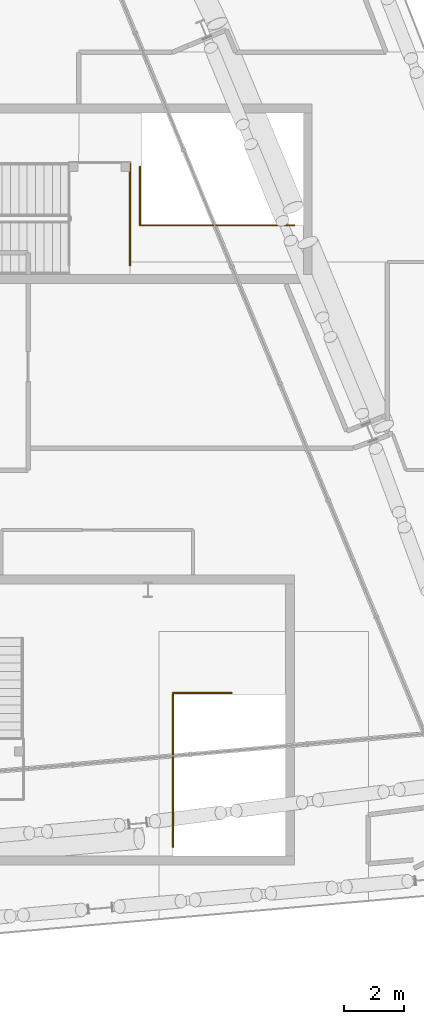
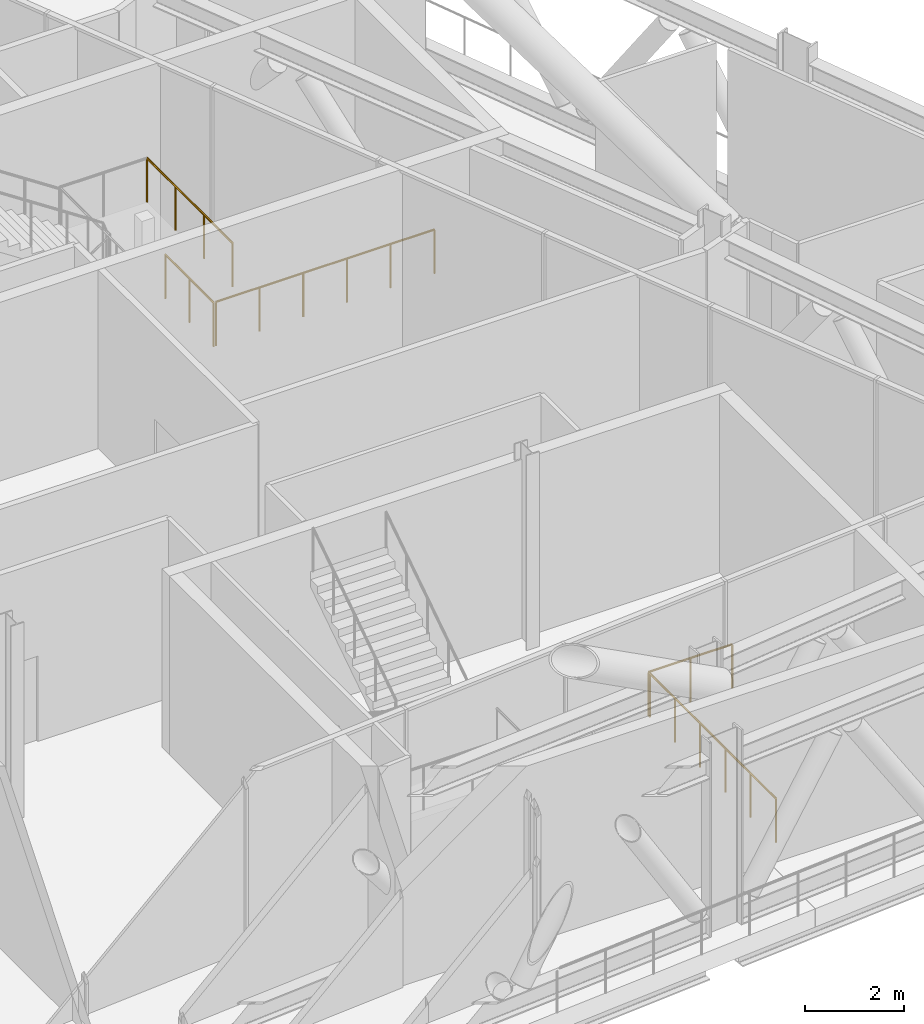
# One storey, part 41 of 42: 5 railings.
"""IFC4 building model written with IfcOpenShell, lengths in metres."""

import ifcopenshell
import ifcopenshell.guid

model = None  # the IFC model being written
_history = None  # IfcOwnerHistory: only IFC2X3 demands one
_inside = {}  # id of a spatial element -> (the spatial element, [elements in it])
_under = {}  # id of a project, library or spatial element -> (it, [spatial elements below it])
_declared = {}  # id of a project -> (the project, [libraries it declares])
_typed = {}  # id of a type object -> (the type object, [elements of that type])
_made_of = {}  # id of a material, layer set ... -> (it, [elements and type objects made of it])


def new_model(schema):
    """Start an empty IFC model of exactly this schema.

    Asked for "IFC4X3", IfcOpenShell would pick the latest addendum, in which some entities
    have other attributes; the version numbers below select the first issue.
    IFC2X3 requires an IfcOwnerHistory on every rooted entity: one is made here for all.
    """
    global model, _history
    if schema == "IFC4X3":
        model = ifcopenshell.file(schema_version=(4, 3, 0, 0))
    else:
        model = ifcopenshell.file(schema=schema)
    _inside.clear()
    _under.clear()
    _declared.clear()
    _typed.clear()
    _made_of.clear()
    _history = None
    if model.schema == "IFC2X3":
        org = make("IfcOrganization", Name="unknown")
        user = make(
            "IfcPersonAndOrganization",
            ThePerson=make("IfcPerson", FamilyName="unknown"),
            TheOrganization=org,
        )
        app = make(
            "IfcApplication",
            ApplicationDeveloper=org,
            Version="unknown",
            ApplicationFullName="unknown",
            ApplicationIdentifier="unknown",
        )
        _history = make(
            "IfcOwnerHistory",
            OwningUser=user,
            OwningApplication=app,
            ChangeAction="ADDED",
            CreationDate=0,
        )
    return model


def make(cls, **values):
    """One entity of the class cls with the attributes given. An attribute that is None is left unset."""
    return model.create_entity(
        cls, **{name: value for name, value in values.items() if value is not None}
    )


def rooted(cls, **values):
    """An entity with a GlobalId (a new one), such as an element, a storey or a relation."""
    return make(cls, GlobalId=ifcopenshell.guid.new(), OwnerHistory=_history, **values)


def si_unit(unit_type, name, prefix=None):
    """IfcSIUnit, for example si_unit("LENGTHUNIT", "METRE", prefix="MILLI")."""
    return make("IfcSIUnit", UnitType=unit_type, Prefix=prefix, Name=name)


def assignment(units):
    """IfcUnitAssignment: the units of a project."""
    return None if units is None else make("IfcUnitAssignment", Units=units)


def point(xyz):
    """IfcCartesianPoint."""
    return None if xyz is None else make("IfcCartesianPoint", Coordinates=xyz)


def direction(xyz):
    """IfcDirection."""
    return None if xyz is None else make("IfcDirection", DirectionRatios=xyz)


def frame(location, z_axis=None, x_axis=None):
    """IfcAxis2Placement3D, a coordinate frame: its origin and axes. An axis left out is left unset."""
    return make(
        "IfcAxis2Placement3D",
        Location=point(location),
        Axis=direction(z_axis),
        RefDirection=direction(x_axis),
    )


def frame_2d(location, x_axis=None):
    """IfcAxis2Placement2D, a coordinate frame in the plane: its origin and x axis."""
    return make(
        "IfcAxis2Placement2D", Location=point(location), RefDirection=direction(x_axis)
    )


def origin():
    """The frame at (0, 0, 0) with its axes left unset."""
    return frame((0.0, 0.0, 0.0))


def origin_2d():
    """The frame at (0, 0) in the plane with its x axis left unset."""
    return frame_2d((0.0, 0.0))


def place(relative_to, where):
    """IfcLocalPlacement: puts the frame where relative to a parent placement (None: the world)."""
    return make(
        "IfcLocalPlacement", PlacementRelTo=relative_to, RelativePlacement=where
    )


def context(
    kind, dimensions, precision=None, world=None, true_north=None, identifier=None
):
    """IfcGeometricRepresentationContext, for example the 3D "Model" context."""
    return make(
        "IfcGeometricRepresentationContext",
        ContextIdentifier=identifier,
        ContextType=kind,
        CoordinateSpaceDimension=dimensions,
        Precision=precision,
        WorldCoordinateSystem=world,
        TrueNorth=true_north,
    )


def subcontext(parent, identifier, kind, view, scale=None):
    """IfcGeometricRepresentationSubContext, for example "Body" below "Model"."""
    return make(
        "IfcGeometricRepresentationSubContext",
        ContextIdentifier=identifier,
        ContextType=kind,
        ParentContext=parent,
        TargetScale=scale,
        TargetView=view,
    )


def project(units=None, contexts=None):
    """IfcProject with its units and contexts."""
    return rooted(
        "IfcProject",
        Name="project",
        RepresentationContexts=contexts,
        UnitsInContext=assignment(units),
    )


def spatial(cls, under=None, at=None, **own):
    """A site, building, storey or space (cls), placed at a placement, below another one or the project."""
    s = rooted(cls, ObjectPlacement=at, **own)
    if under is not None:
        _under.setdefault(under.id(), (under, []))[1].append(s)
    return s


def profile(cls, at=None, kind="AREA", **sizes):
    """A parametric profile (cls). Its sizes go by their IFC names, for example OverallWidth=200.0."""
    return make(cls, ProfileType=kind, Position=at, **sizes)


def circle(**sizes):
    """IfcCircleProfileDef."""
    return profile("IfcCircleProfileDef", **sizes)


def extrude(swept, where, along, depth):
    """IfcExtrudedAreaSolid: the profile swept, set in the frame where, extruded along a direction by depth."""
    return make(
        "IfcExtrudedAreaSolid",
        SweptArea=swept,
        Position=where,
        ExtrudedDirection=direction(along),
        Depth=depth,
    )


def shape(context_of_items, identifier, shape_type, items):
    """IfcShapeRepresentation: the items that make up one representation, for example the "Body"."""
    return make(
        "IfcShapeRepresentation",
        ContextOfItems=context_of_items,
        RepresentationIdentifier=identifier,
        RepresentationType=shape_type,
        Items=items,
    )


def material(Name=None, Category=None):
    """IfcMaterial."""
    return make("IfcMaterial", Name=Name, Category=Category)


def made_of(thing, what):
    """Note that an element or type object is made of a material, layer set ...; save() writes the relation."""
    if what is not None:
        _made_of.setdefault(what.id(), (what, []))[1].append(thing)
    return thing


def type_object(cls, material=None, **own):
    """A type object (cls), such as IfcWallType, which elements share."""
    return made_of(rooted(cls, **own), material)


def element(
    cls,
    number,
    at=None,
    inside=None,
    cuts=None,
    type_object=None,
    material=None,
    context=None,
    identifier="Body",
    shape_type=None,
    held_by="IfcProductDefinitionShape",
    body=None,
    shapes=None,
    **own,
):
    """One element of the class cls, such as IfcWall. Its Tag is "e" and its number.

    at: its placement. inside: the storey or other place that contains it. cuts: it is an
    opening in that element (IfcRelVoidsElement). A single representation is given by context,
    identifier, shape_type and body (its items); several are given by shapes. held_by: the class
    of the entity that holds the representations. save() writes the other relations.
    """
    e = rooted(cls, Tag="e%d" % number, ObjectPlacement=at, **own)
    if body is not None:
        shapes = [shape(context, identifier, shape_type, body)]
    if shapes is not None:
        e.Representation = make(held_by, Representations=shapes)
    if inside is not None:
        _inside.setdefault(inside.id(), (inside, []))[1].append(e)
    if cuts is not None:
        rooted(
            "IfcRelVoidsElement", RelatingBuildingElement=cuts, RelatedOpeningElement=e
        )
    if type_object is not None:
        _typed.setdefault(type_object.id(), (type_object, []))[1].append(e)
    return made_of(e, material)


def aggregate(whole, parts):
    """IfcRelAggregates: a whole, such as a stair, and the parts it consists of."""
    return rooted("IfcRelAggregates", RelatingObject=whole, RelatedObjects=parts)


def save(model, path):
    """Write the relations noted so far, then the file.

    IfcRelAggregates (storeys below a building ...), IfcRelContainedInSpatialStructure (elements
    in a storey), IfcRelDefinesByType, IfcRelAssociatesMaterial and IfcRelDeclares: one each for
    every whole, place, type object, material and project.
    """
    for whole, parts in _under.values():
        aggregate(whole, parts)
    for where, things in _inside.values():
        rooted(
            "IfcRelContainedInSpatialStructure",
            RelatedElements=things,
            RelatingStructure=where,
        )
    for kind, things in _typed.values():
        rooted("IfcRelDefinesByType", RelatedObjects=things, RelatingType=kind)
    for what, things in _made_of.values():
        rooted("IfcRelAssociatesMaterial", RelatedObjects=things, RelatingMaterial=what)
    for by, libraries in _declared.values():
        rooted("IfcRelDeclares", RelatingContext=by, RelatedDefinitions=libraries)
    model.write(path)


model = new_model("IFC4")

# Units and contexts
model_context = context("Model", 3, precision=1e-05, world=origin(), true_north=direction((0.0, 1.0)))
body_context = subcontext(model_context, "Body", "Model", "MODEL_VIEW")
ifc_project = project(units=[si_unit("LENGTHUNIT", "METRE"), si_unit("AREAUNIT", "SQUARE_METRE"), si_unit("VOLUMEUNIT", "CUBIC_METRE"), si_unit("PLANEANGLEUNIT", "RADIAN"), si_unit("MASSUNIT", "GRAM", prefix="KILO")], contexts=[model_context])

# Site, building, storey
site_placement = place(None, origin())
site = spatial("IfcSite", under=ifc_project, at=site_placement, CompositionType="ELEMENT")
building_placement = place(site_placement, origin())
building = spatial("IfcBuilding", under=site, at=building_placement, Name="Wharfspan Tower", CompositionType="ELEMENT")
storey_placement = place(building_placement, frame((0.0, 0.0, 147.100098)))
storey = spatial("IfcBuildingStorey", under=building, at=storey_placement, Name="L35", CompositionType="ELEMENT", Elevation=147.100098)

# Railings
ifc_material = material(Name="Steel S355J2", Category="steel")
railing_type = type_object("IfcRailingType", Name="Stair guard 1100", PredefinedType="GUARDRAIL", material=ifc_material)
railing_1_placement = place(storey_placement, frame((72.841064, 7.994629, 0.0)))
element("IfcRailing", 1, at=railing_1_placement, inside=storey, type_object=railing_type, Name="L35 ST5 band guard 4", PredefinedType="GUARDRAIL", context=body_context, shape_type="SweptSolid", body=[
    extrude(circle(Radius=0.023926, at=origin_2d()), frame((0.0, 0.0, 1.076172), z_axis=(0.0, -1.0, 0.0), x_axis=(1.0, 0.0, 0.0)), (0.0, 0.0, 1.0), 5.089844),
    extrude(circle(Radius=0.020996, at=origin_2d()), origin(), (0.0, 0.0, 1.0), 1.052002),
    extrude(circle(Radius=0.020996, at=origin_2d()), frame((0.0, -1.018066, 0.0)), (0.0, 0.0, 1.0), 1.052002),
    extrude(circle(Radius=0.020996, at=origin_2d()), frame((0.0, -2.035889, 0.0)), (0.0, 0.0, 1.0), 1.052002),
    extrude(circle(Radius=0.020996, at=origin_2d()), frame((0.0, -3.053955, 0.0)), (0.0, 0.0, 1.0), 1.052002),
    extrude(circle(Radius=0.020996, at=origin_2d()), frame((0.0, -4.071777, 0.0)), (0.0, 0.0, 1.0), 1.052002),
    extrude(circle(Radius=0.020996, at=origin_2d()), frame((0.0, -5.089844, 0.0)), (0.0, 0.0, 1.0), 1.052002),
])
railing_2_placement = place(storey_placement, frame((71.404541, 22.334961, 2.399902)))
element("IfcRailing", 2, at=railing_2_placement, inside=storey, type_object=railing_type, Name="L35 ST6 band guard 1", PredefinedType="GUARDRAIL", context=body_context, shape_type="SweptSolid", body=[
    extrude(circle(Radius=0.023926, at=origin_2d()), frame((0.0, 0.0, 1.076172), z_axis=(0.0, 1.0, 0.0), x_axis=(-1.0, 0.0, 0.0)), (0.0, 0.0, 1.0), 3.439941),
    extrude(circle(Radius=0.020996, at=origin_2d()), origin(), (0.0, 0.0, 1.0), 1.052002),
    extrude(circle(Radius=0.020996, at=origin_2d()), frame((0.0, 1.146729, 0.0)), (0.0, 0.0, 1.0), 1.052002),
    extrude(circle(Radius=0.020996, at=origin_2d()), frame((0.0, 2.293213, 0.0)), (0.0, 0.0, 1.0), 1.052002),
    extrude(circle(Radius=0.020996, at=origin_2d()), frame((0.0, 3.439941, 0.0)), (0.0, 0.0, 1.0), 1.052002),
])
railing_3_placement = place(storey_placement, frame((71.790283, 23.675049, 0.0)))
element("IfcRailing", 3, at=railing_3_placement, inside=storey, type_object=railing_type, Name="L35 ST6 band guard 4", PredefinedType="GUARDRAIL", context=body_context, shape_type="SweptSolid", body=[
    extrude(circle(Radius=0.023926, at=origin_2d()), frame((0.0, 0.0, 1.076172), z_axis=(1.0, 0.0, 0.0), x_axis=(0.0, 1.0, 0.0)), (0.0, 0.0, 1.0), 5.090088),
    extrude(circle(Radius=0.020996, at=origin_2d()), origin(), (0.0, 0.0, 1.0), 1.052002),
    extrude(circle(Radius=0.020996, at=origin_2d()), frame((1.018066, 0.0, 0.0)), (0.0, 0.0, 1.0), 1.052002),
    extrude(circle(Radius=0.020996, at=origin_2d()), frame((2.036133, 0.0, 0.0)), (0.0, 0.0, 1.0), 1.052002),
    extrude(circle(Radius=0.020996, at=origin_2d()), frame((3.053955, 0.0, 0.0)), (0.0, 0.0, 1.0), 1.052002),
    extrude(circle(Radius=0.020996, at=origin_2d()), frame((4.072021, 0.0, 0.0)), (0.0, 0.0, 1.0), 1.052002),
    extrude(circle(Radius=0.020996, at=origin_2d()), frame((5.090088, 0.0, 0.0)), (0.0, 0.0, 1.0), 1.052002),
])
railing_4_placement = place(storey_placement, frame((72.841064, 8.044678, 0.0)))
element("IfcRailing", 4, at=railing_4_placement, inside=storey, type_object=railing_type, Name="L35 ST5 top well guard 1", PredefinedType="GUARDRAIL", context=body_context, shape_type="SweptSolid", body=[
    extrude(circle(Radius=0.023926, at=origin_2d()), frame((0.0, 0.0, 1.076172), z_axis=(1.0, 0.0, 0.0), x_axis=(0.0, 1.0, 0.0)), (0.0, 0.0, 1.0), 1.949951),
    extrude(circle(Radius=0.020996, at=origin_2d()), origin(), (0.0, 0.0, 1.0), 1.052002),
    extrude(circle(Radius=0.020996, at=origin_2d()), frame((0.975098, 0.0, 0.0)), (0.0, 0.0, 1.0), 1.052002),
    extrude(circle(Radius=0.020996, at=origin_2d()), frame((1.949951, 0.0, 0.0)), (0.0, 0.0, 1.0), 1.052002),
])
railing_5_placement = place(storey_placement, frame((71.740479, 23.675049, 0.0)))
element("IfcRailing", 5, at=railing_5_placement, inside=storey, type_object=railing_type, Name="L35 ST6 top well guard 1", PredefinedType="GUARDRAIL", context=body_context, shape_type="SweptSolid", body=[
    extrude(circle(Radius=0.023926, at=origin_2d()), frame((0.0, 0.0, 1.076172), z_axis=(0.0, 1.0, 0.0), x_axis=(-1.0, 0.0, 0.0)), (0.0, 0.0, 1.0), 1.949951),
    extrude(circle(Radius=0.020996, at=origin_2d()), origin(), (0.0, 0.0, 1.0), 1.052002),
    extrude(circle(Radius=0.020996, at=origin_2d()), frame((0.0, 0.975098, 0.0)), (0.0, 0.0, 1.0), 1.052002),
    extrude(circle(Radius=0.020996, at=origin_2d()), frame((0.0, 1.949951, 0.0)), (0.0, 0.0, 1.0), 1.052002),
])

save(model, "model.ifc")
